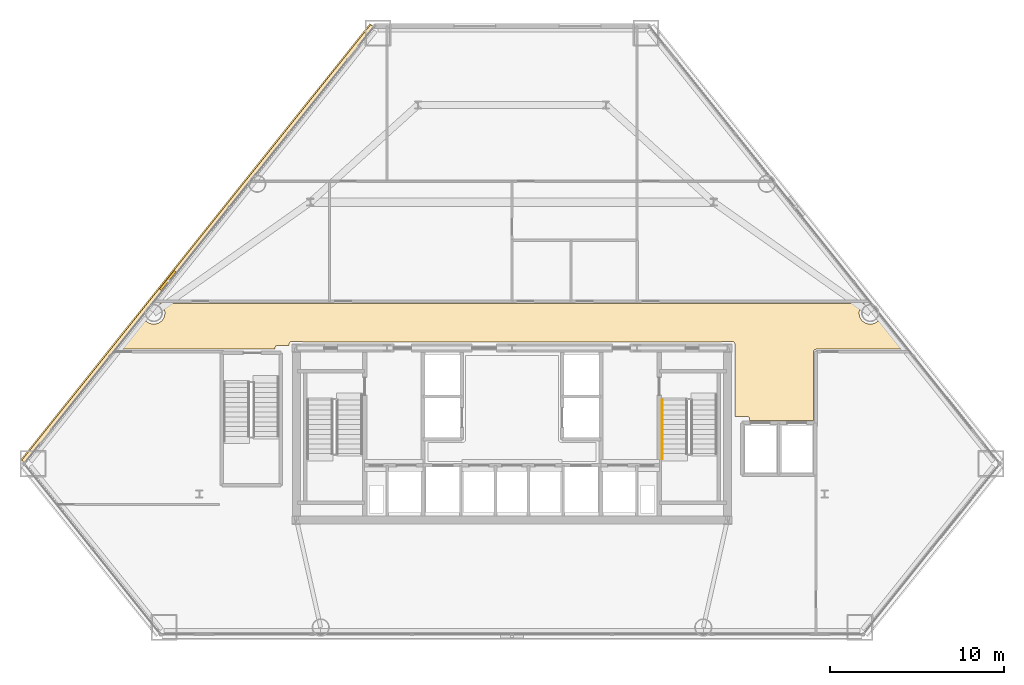
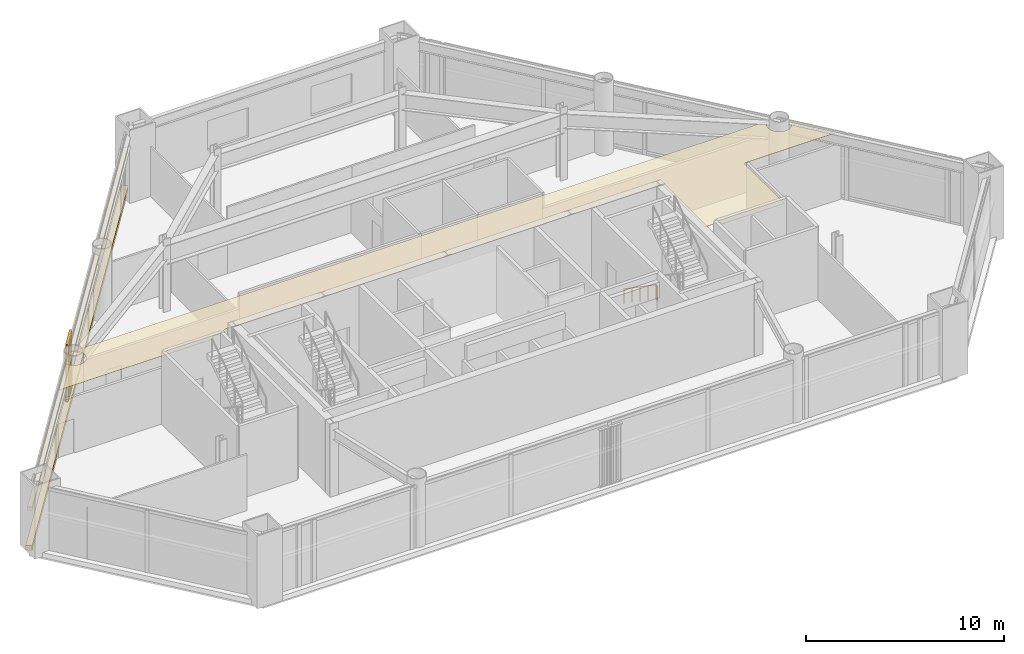
# One storey, part 12 of 13: 3 coverings, 1 railing, 1 shading device.
"""IFC4 building model written with IfcOpenShell, lengths in metres."""

from ifc_helpers import new_model, si_unit, direction, frame, origin, origin_2d, place, context, subcontext, project, spatial, polyline, rectangle, outline, extrude, source, transform, mapped, material, layer, layer_set, type_object, type_shapes, element, save


model = new_model("IFC4")

# Units and contexts
model_context = context("Model", 3, precision=1e-05, world=origin(), true_north=direction((0.0, 1.0)))
body_context = subcontext(model_context, "Body", "Model", "MODEL_VIEW")
ifc_project = project(units=[si_unit("LENGTHUNIT", "METRE"), si_unit("AREAUNIT", "SQUARE_METRE"), si_unit("VOLUMEUNIT", "CUBIC_METRE"), si_unit("PLANEANGLEUNIT", "RADIAN"), si_unit("MASSUNIT", "GRAM", prefix="KILO")], contexts=[model_context])

# Site, building, storey
site_placement = place(None, origin())
site = spatial("IfcSite", under=ifc_project, at=site_placement, CompositionType="ELEMENT")
building_placement = place(site_placement, origin())
building = spatial("IfcBuilding", under=site, at=building_placement, Name="Talgorran Terracotta Tower", CompositionType="ELEMENT")
storey_placement = place(building_placement, frame((0.0, 0.0, 14.39990234375)))
storey = spatial("IfcBuildingStorey", under=building, at=storey_placement, Name="L03", CompositionType="ELEMENT", Elevation=14.39990234375)

# Coverings
ifc_material_1 = material(Name="Kiln-Fired Terracotta Ochre Ceramic", Category="masonry")
ifc_layer_1 = layer(ifc_material_1, 0.179931640625, Name="COV_BAGUETTE_TERRACOTTA_SCREEN")
ifc_layer_set_1 = layer_set([ifc_layer_1], Name="Kiln-Fired Terracotta Ochre Ceramic")
covering_type_1 = type_object("IfcCoveringType", Name="COV_BAGUETTE_TERRACOTTA_SCREEN", PredefinedType="CLADDING", material=ifc_layer_set_1)
covering_1_placement = place(storey_placement, frame((-18.072509765625, 1.802490234375, 2.41015625), z_axis=(0.0, 0.0, 1.0), x_axis=(-0.625120058901, -0.780528610597, 0.0)))
element("IfcCovering", 1, at=covering_1_placement, inside=storey, type_object=covering_type_1, Name="L03 Terracotta Baguette Solar Screen Assembly F5", PredefinedType="CLADDING", context=body_context, shape_type="SweptSolid", body=[
    extrude(rectangle(XDim=32.135498046875, YDim=0.260009765625, at=origin_2d()), origin(), (0.0, 0.0, 1.0), 0.219970703125),
])
ifc_material_2 = material(Name="Mineral Fibre Acoustic Tile")
ifc_layer_2 = layer(ifc_material_2, 0.02490234375, Name="COV_CEIL_ACOUSTIC")
ifc_layer_set_2 = layer_set([ifc_layer_2], Name="Mineral Fibre Acoustic Tile")
covering_type_2 = type_object("IfcCoveringType", Name="COV_CEIL_ACOUSTIC", PredefinedType="CEILING", material=ifc_layer_set_2)
covering_2_placement = place(storey_placement, frame((0.0, 0.0, 4.010009765625)))
element("IfcCovering", 2, at=covering_2_placement, inside=storey, type_object=covering_type_2, Name="CEIL-L03-2", PredefinedType="CEILING", context=body_context, shape_type="SweptSolid", body=[
    extrude(outline(polyline([(-21.211669921875, -2.4453125), (-21.209716796875, -2.4482421875), (-21.094970703125, -2.620361328125), (-21.087890625, -2.629638671875), (-21.080078125, -2.638427734375), (-21.0712890625, -2.646484375), (-21.061767578125, -2.6533203125), (-20.889892578125, -2.768310546875), (-20.879638671875, -2.7744140625), (-20.868896484375, -2.779296875), (-20.85791015625, -2.783203125), (-20.846435546875, -2.7861328125), (-20.643798828125, -2.826416015625), (-20.632080078125, -2.828125), (-20.620361328125, -2.828857421875), (-20.6083984375, -2.828125), (-20.596923828125, -2.826416015625), (-20.39404296875, -2.7861328125), (-20.3828125, -2.783203125), (-20.37158203125, -2.779296875), (-20.36083984375, -2.7744140625), (-20.350830078125, -2.768310546875), (-20.1787109375, -2.6533203125), (-20.16943359375, -2.646484375), (-20.16064453125, -2.638427734375), (-20.152587890625, -2.629638671875), (-20.145751953125, -2.620361328125), (-20.03076171875, -2.4482421875), (-20.02490234375, -2.438232421875), (-20.019775390625, -2.427490234375), (-20.015869140625, -2.41650390625), (-20.012939453125, -2.405029296875), (-19.97265625, -2.2021484375), (-19.970947265625, -2.190673828125), (-19.97021484375, -2.1787109375), (-19.970947265625, -2.1669921875), (-19.97265625, -2.155517578125), (-20.012939453125, -1.95263671875), (-20.015869140625, -1.941162109375), (-20.019775390625, -1.93017578125), (-20.02490234375, -1.91943359375), (-20.03076171875, -1.9091796875), (-20.145751953125, -1.7373046875), (-20.152587890625, -1.727783203125), (-20.16064453125, -1.718994140625), (-20.16943359375, -1.711181640625), (-20.1787109375, -1.7041015625), (-20.282470703125, -1.635009765625), (20.282470703125, -1.635009765625), (20.1787109375, -1.7041015625), (20.16943359375, -1.711181640625), (20.16064453125, -1.718994140625), (20.152587890625, -1.727783203125), (20.145751953125, -1.7373046875), (20.03076171875, -1.9091796875), (20.02490234375, -1.91943359375), (20.019775390625, -1.93017578125), (20.015869140625, -1.941162109375), (20.012939453125, -1.95263671875), (19.97265625, -2.155517578125), (19.970947265625, -2.1669921875), (19.97021484375, -2.1787109375), (19.970947265625, -2.190673828125), (19.97265625, -2.2021484375), (20.012939453125, -2.405029296875), (20.015869140625, -2.41650390625), (20.019775390625, -2.427490234375), (20.02490234375, -2.438232421875), (20.03076171875, -2.4482421875), (20.145751953125, -2.620361328125), (20.152587890625, -2.629638671875), (20.16064453125, -2.638427734375), (20.16943359375, -2.646484375), (20.1787109375, -2.6533203125), (20.350830078125, -2.768310546875), (20.36083984375, -2.7744140625), (20.37158203125, -2.779296875), (20.3828125, -2.783203125), (20.39404296875, -2.7861328125), (20.596923828125, -2.826416015625), (20.6083984375, -2.828125), (20.620361328125, -2.828857421875), (20.632080078125, -2.828125), (20.643798828125, -2.826416015625), (20.846435546875, -2.7861328125), (20.85791015625, -2.783203125), (20.868896484375, -2.779296875), (20.879638671875, -2.7744140625), (20.889892578125, -2.768310546875), (21.061767578125, -2.6533203125), (21.0712890625, -2.646484375), (21.080078125, -2.638427734375), (21.087890625, -2.629638671875), (21.094970703125, -2.620361328125), (21.209716796875, -2.4482421875), (21.2109375, -2.4462890625), (22.6689453125, -4.264892578125), (17.5, -4.264892578125), (17.48828125, -4.265625), (17.476806640625, -4.267333984375), (17.46533203125, -4.27001953125), (17.45703125, -4.272705078125), (17.446044921875, -4.276611328125), (17.435302734375, -4.281494140625), (17.42529296875, -4.28759765625), (17.415771484375, -4.294677734375), (17.406982421875, -4.302490234375), (17.399169921875, -4.311279296875), (17.3935546875, -4.318115234375), (17.386474609375, -4.327392578125), (17.38037109375, -4.337646484375), (17.375244140625, -4.348388671875), (17.371337890625, -4.359375), (17.368408203125, -4.370849609375), (17.36669921875, -4.382568359375), (17.3662109375, -4.394287109375), (17.364990234375, -8.364990234375), (13.684814453125, -8.364990234375), (13.684814453125, -8.2783203125), (13.684326171875, -8.2666015625), (13.6826171875, -8.255126953125), (13.6796875, -8.243896484375), (13.67578125, -8.232666015625), (13.672607421875, -8.224609375), (13.66748046875, -8.214111328125), (13.66162109375, -8.2041015625), (13.65478515625, -8.19482421875), (13.64697265625, -8.186279296875), (13.638427734375, -8.17822265625), (13.629150390625, -8.17138671875), (13.621826171875, -8.16650390625), (13.61181640625, -8.16015625), (13.60107421875, -8.155029296875), (13.58984375, -8.15087890625), (13.578125, -8.14794921875), (13.56640625, -8.146240234375), (13.554443359375, -8.1455078125), (12.8349609375, -8.14501953125), (12.8349609375, -3.97998046875), (12.83447265625, -3.96826171875), (12.832763671875, -3.956787109375), (12.829833984375, -3.9453125), (12.827392578125, -3.93701171875), (12.823486328125, -3.926025390625), (12.818359375, -3.915283203125), (12.8125, -3.9052734375), (12.805419921875, -3.895751953125), (12.797607421875, -3.886962890625), (12.7890625, -3.87939453125), (12.785888671875, -3.872314453125), (12.77978515625, -3.8623046875), (12.772705078125, -3.852783203125), (12.764892578125, -3.843994140625), (12.756103515625, -3.836181640625), (12.74658203125, -3.8291015625), (12.736572265625, -3.8232421875), (12.725830078125, -3.818115234375), (12.71484375, -3.814208984375), (12.703369140625, -3.811279296875), (12.69189453125, -3.8095703125), (12.679931640625, -3.80908203125), (12.1201171875, -3.80908203125), (12.108154296875, -3.8095703125), (12.0966796875, -3.811279296875), (12.085205078125, -3.814208984375), (12.07421875, -3.818115234375), (12.0634765625, -3.8232421875), (12.05322265625, -3.8291015625), (12.0439453125, -3.836181640625), (12.03515625, -3.843994140625), (12.034423828125, -3.844970703125), (7.432861328125, -3.844970703125), (6.968017578125, -3.843017578125), (6.967529296875, -3.843017578125), (0.232666015625, -3.844970703125), (-0.23193359375, -3.843017578125), (-0.232421875, -3.843017578125), (-6.96728515625, -3.844970703125), (-7.431884765625, -3.843017578125), (-7.4326171875, -3.843017578125), (-12.034423828125, -3.844970703125), (-12.03515625, -3.843994140625), (-12.0439453125, -3.836181640625), (-12.05322265625, -3.8291015625), (-12.0634765625, -3.8232421875), (-12.07421875, -3.818115234375), (-12.085205078125, -3.814208984375), (-12.0966796875, -3.811279296875), (-12.108154296875, -3.8095703125), (-12.1201171875, -3.80908203125), (-12.679931640625, -3.80908203125), (-12.69189453125, -3.8095703125), (-12.703369140625, -3.811279296875), (-12.71484375, -3.814208984375), (-12.725830078125, -3.818115234375), (-12.736572265625, -3.8232421875), (-12.74658203125, -3.8291015625), (-12.756103515625, -3.836181640625), (-12.764892578125, -3.843994140625), (-12.772705078125, -3.852783203125), (-12.77978515625, -3.8623046875), (-12.785888671875, -3.872314453125), (-12.788818359375, -3.878662109375), (-12.79296875, -3.882568359375), (-12.80078125, -3.89111328125), (-12.806396484375, -3.89794921875), (-12.8134765625, -3.907470703125), (-12.819580078125, -3.91748046875), (-12.82470703125, -3.927978515625), (-12.82861328125, -3.93896484375), (-12.83154296875, -3.9501953125), (-12.833251953125, -3.9619140625), (-12.833984375, -3.9736328125), (-12.834228515625, -4.044921875), (-13.5, -4.044921875), (-13.51171875, -4.045654296875), (-13.523193359375, -4.04736328125), (-13.53466796875, -4.050048828125), (-13.54296875, -4.052490234375), (-13.553955078125, -4.056396484375), (-13.564697265625, -4.0615234375), (-13.57470703125, -4.067626953125), (-13.584228515625, -4.07470703125), (-13.593017578125, -4.08251953125), (-13.600830078125, -4.09130859375), (-13.6064453125, -4.097900390625), (-13.613525390625, -4.107421875), (-13.61962890625, -4.117431640625), (-13.62451171875, -4.1279296875), (-13.628662109375, -4.138916015625), (-13.631591796875, -4.150390625), (-13.63330078125, -4.162109375), (-13.6337890625, -4.173583984375), (-13.634521484375, -4.264892578125), (-22.669189453125, -4.264892578125), (-21.211669921875, -2.4453125)])), origin(), (0.0, 0.0, 1.0), 0.02001953125),
])
ifc_material_3 = material(Name="Kiln-Fired Terracotta Cladding", Category="masonry")
ifc_layer_3 = layer(ifc_material_3, 0.090087890625, Name="COV_PORTAL_TERRA")
ifc_layer_set_3 = layer_set([ifc_layer_3], Name="Kiln-Fired Terracotta Cladding")
covering_type_3 = type_object("IfcCoveringType", Name="COV_PORTAL_TERRA", PredefinedType="CLADDING", material=ifc_layer_set_3)
covering_3_placement = place(storey_placement, frame((-18.103515625, 1.827392578125, -0.0400390625), z_axis=(0.0, 0.0, 1.0), x_axis=(-0.625120058901, -0.780528610597, 0.0)))
element("IfcCovering", 3, at=covering_3_placement, inside=storey, type_object=covering_type_3, Name="L03 Striped Postmodern Portal Cladding Band F5", PredefinedType="CLADDING", context=body_context, shape_type="SweptSolid", body=[
    extrude(rectangle(XDim=32.155517578125, YDim=0.340087890625, at=origin_2d()), origin(), (0.0, 0.0, 1.0), 0.300048828125),
])

# Railing
ifc_material_4 = material(Name="Steel S355 (300PLUS)", Category="steel")
railing_type = type_object("IfcRailingType", Name="RL_HANDRAIL_920", PredefinedType="HANDRAIL", material=ifc_material_4)
railing_placement = place(storey_placement, frame((8.64990234375, -7.199951171875, 0.1875)))
element("IfcRailing", 4, at=railing_placement, inside=storey, type_object=railing_type, Name="L03 ST-02 stair handrail 1", PredefinedType="HANDRAIL", context=body_context, shape_type="SweptSolid", body=[
    extrude(rectangle(XDim=0.048095703125, YDim=0.048095703125, at=origin_2d()), frame((0.0, 0.0, 0.89599609375), z_axis=(0.0, -0.82301009837, 0.568026740551), x_axis=(1.0, 0.0, 0.0)), (0.0, 0.0, 1.0), 3.961181640625),
    extrude(rectangle(XDim=0.048095703125, YDim=0.048095703125, at=origin_2d()), frame((0.0, -3.260009765625, 3.14599609375), z_axis=(0.0, -1.0, 0.0), x_axis=(1.0, 0.0, 0.0)), (0.0, 0.0, 1.0), 0.1201171875),
    extrude(rectangle(XDim=0.0419921875, YDim=0.0419921875, at=origin_2d()), origin(), (0.0, 0.0, 1.0), 0.871826171875),
    extrude(rectangle(XDim=0.0419921875, YDim=0.0419921875, at=origin_2d()), frame((0.0, -0.81494140625, 0.5625)), (0.0, 0.0, 1.0), 0.871826171875),
    extrude(rectangle(XDim=0.0419921875, YDim=0.0419921875, at=origin_2d()), frame((0.0, -1.6298828125, 1.125)), (0.0, 0.0, 1.0), 0.871826171875),
    extrude(rectangle(XDim=0.0419921875, YDim=0.0419921875, at=origin_2d()), frame((0.0, -2.445068359375, 1.6875)), (0.0, 0.0, 1.0), 0.871826171875),
    extrude(rectangle(XDim=0.0419921875, YDim=0.0419921875, at=origin_2d()), frame((0.0, -3.260009765625, 2.25)), (0.0, 0.0, 1.0), 0.871826171875),
    extrude(rectangle(XDim=0.0419921875, YDim=0.0419921875, at=origin_2d()), frame((0.0, -3.380126953125, 2.25)), (0.0, 0.0, 1.0), 0.871826171875),
])

# Shading device
ifc_material_5 = material(Name="Kiln-Fired Terracotta", Category="masonry")
ifc_layer_4 = layer(ifc_material_5, 0.139892578125, Name="SHD_BAGUETTE_TERRA")
ifc_layer_set_4 = layer_set([ifc_layer_4], Name="Kiln-Fired Terracotta")
shading_device_type = type_object("IfcShadingDeviceType", Name="SHD_BAGUETTE_TERRA", PredefinedType="JALOUSIE", material=ifc_layer_set_4)
shared_shape = source(origin(), body_context, "Body", "SweptSolid", [
    extrude(rectangle(XDim=1.35009765625, YDim=0.139892578125, at=origin_2d()), origin(), (0.0, 0.0, 1.0), 0.054931640625),
    extrude(rectangle(XDim=1.35009765625, YDim=0.139892578125, at=origin_2d()), frame((0.0, 0.0, 3.4951171875)), (0.0, 0.0, 1.0), 0.054931640625),
    extrude(rectangle(XDim=0.074951171875, YDim=0.139892578125, at=origin_2d()), frame((-0.53515625, 0.0, 0.054931640625), z_axis=(0.0, 0.0, 1.0), x_axis=(0.866025403784, 0.5, 0.0)), (0.0, 0.0, 1.0), 3.440185546875),
    extrude(rectangle(XDim=0.074951171875, YDim=0.139892578125, at=origin_2d()), frame((-0.267578125, 0.0, 0.054931640625), z_axis=(0.0, 0.0, 1.0), x_axis=(0.866025403784, 0.5, 0.0)), (0.0, 0.0, 1.0), 3.440185546875),
    extrude(rectangle(XDim=0.074951171875, YDim=0.139892578125, at=origin_2d()), frame((0.0, 0.0, 0.054931640625), z_axis=(0.0, 0.0, 1.0), x_axis=(0.866025403784, 0.5, 0.0)), (0.0, 0.0, 1.0), 3.440185546875),
    extrude(rectangle(XDim=0.074951171875, YDim=0.139892578125, at=origin_2d()), frame((0.267578125, 0.0, 0.054931640625), z_axis=(0.0, 0.0, 1.0), x_axis=(0.866025403784, 0.5, 0.0)), (0.0, 0.0, 1.0), 3.440185546875),
    extrude(rectangle(XDim=0.074951171875, YDim=0.139892578125, at=origin_2d()), frame((0.53515625, 0.0, 0.054931640625), z_axis=(0.0, 0.0, 1.0), x_axis=(0.866025403784, 0.5, 0.0)), (0.0, 0.0, 1.0), 3.440185546875),
])
type_shapes(shading_device_type, [shared_shape])
shading_device_placement = place(storey_placement, frame((-19.81494140625, -0.309326171875, 0.35009765625), z_axis=(0.0, 0.0, 1.0), x_axis=(-0.625120058901, -0.780528610597, 0.0)))
element("IfcShadingDevice", 5, at=shading_device_placement, inside=storey, type_object=shading_device_type, Name="BAG-L03-F5", PredefinedType="JALOUSIE", context=body_context, shape_type="MappedRepresentation", body=[
    mapped(shared_shape, transform((0.0, 0.0, 0.0), scale=1.0)),
])

save(model, "model.ifc")
